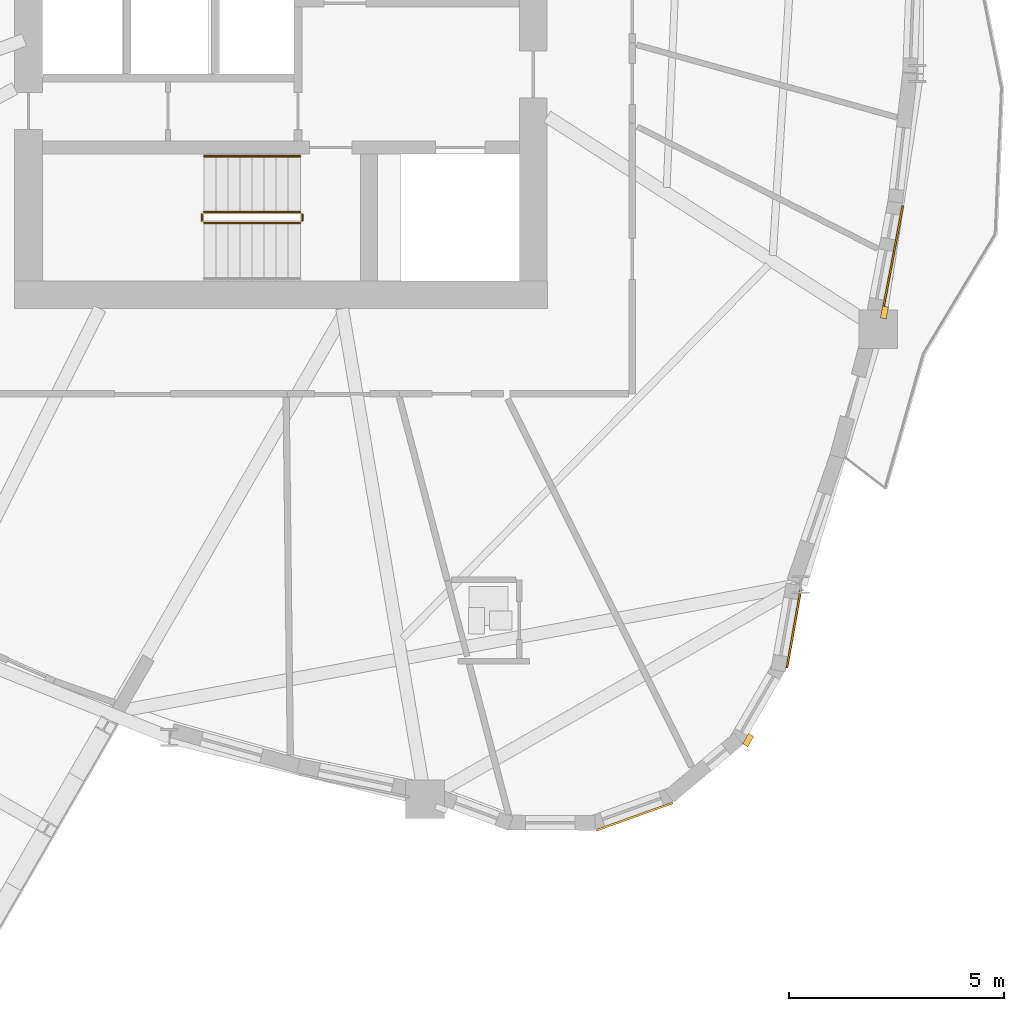
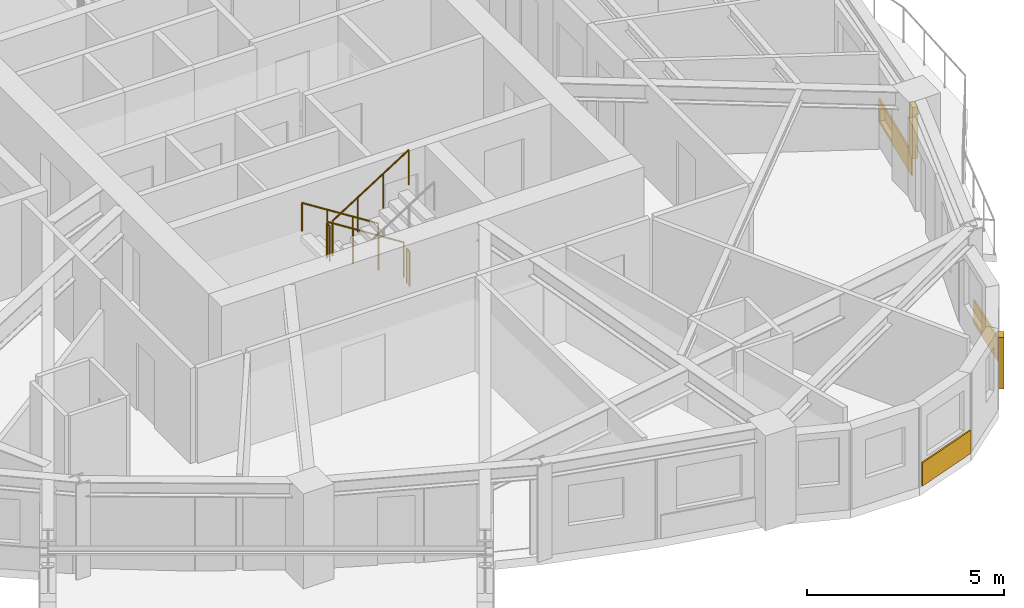
# One storey, part 13 of 17: 5 railings, 3 coverings, 2 shading devices.
"""IFC4 building model written with IfcOpenShell, lengths in metres."""

from ifc_helpers import new_model, si_unit, direction, frame, origin, origin_2d, place, context, subcontext, project, spatial, rectangle, circle, extrude, source, transform, mapped, material, layer, layer_set, type_object, element, save


model = new_model("IFC4")

# Units and contexts
model_context = context("Model", 3, precision=1e-05, world=origin(), true_north=direction((0.0, 1.0)))
body_context = subcontext(model_context, "Body", "Model", "MODEL_VIEW")
ifc_project = project(units=[si_unit("LENGTHUNIT", "METRE"), si_unit("AREAUNIT", "SQUARE_METRE"), si_unit("VOLUMEUNIT", "CUBIC_METRE"), si_unit("PLANEANGLEUNIT", "RADIAN"), si_unit("MASSUNIT", "GRAM", prefix="KILO")], contexts=[model_context])

# Site, building, storey
site_placement = place(None, origin())
site = spatial("IfcSite", under=ifc_project, at=site_placement, CompositionType="ELEMENT")
building_placement = place(site_placement, origin())
building = spatial("IfcBuilding", under=site, at=building_placement, Name="Qafzar Sky-Pleat Residences", CompositionType="ELEMENT")
storey_placement = place(building_placement, frame((0.0, 0.0, 115.199951171875)))
storey = spatial("IfcBuildingStorey", under=building, at=storey_placement, Name="L34", CompositionType="ELEMENT", Elevation=115.199951171875)

# Shading devices
ifc_material_1 = material(Name="Honed Riyadh limestone solar fin", Category="masonry")
ifc_layer_1 = layer(ifc_material_1, 0.139892578125)
ifc_layer_set_1 = layer_set([ifc_layer_1], Name="Honed Riyadh limestone solar fin")
shading_device_type = type_object("IfcShadingDeviceType", Name="SHD-FIN-STONE", PredefinedType="SHUTTER", material=ifc_layer_set_1)
shared_shape_1 = source(origin(), body_context, "Body", "SweptSolid", [
    extrude(rectangle(XDim=0.139892578125, YDim=0.280029296875, at=origin_2d()), origin(), (0.0, 0.0, 1.0), 1.60009765625),
])
for number, where, z_axis, x_axis, name in (
    (1, (41.22900390625, 7.50732421875, 0.60009765625), (0.0, 0.0, 1.0), (0.864874104555, -0.501988827833, 0.0), "L34 Limestone Solar Fin 21"),
    (2, (44.398681640625, 17.462890625, 0.60009765625), (0.0, 0.0, 1.0), (0.982428629764, -0.186638654679, 0.0), "L34 Limestone Solar Fin 25"),
):
    element("IfcShadingDevice", number, at=place(storey_placement, frame(where, z_axis=z_axis, x_axis=x_axis)), inside=storey, type_object=shading_device_type, Name=name, PredefinedType="SHUTTER", context=body_context, shape_type="MappedRepresentation", body=[
        mapped(shared_shape_1, transform((0.0, 0.0, 0.0), x_axis=(1.0, 0.0, 0.0), y_axis=(0.0, 1.0, 0.0), z_axis=(0.0, 0.0, 1.0), scale=1.0)),
    ])

# Coverings
ifc_material_2 = material(Name="Honed Riyadh Tuwaiq limestone cladding", Category="masonry")
ifc_layer_2 = layer(ifc_material_2, 0.044921875)
ifc_layer_set_2 = layer_set([ifc_layer_2], Name="Honed Riyadh Tuwaiq limestone cladding")
covering_type = type_object("IfcCoveringType", Name="COV-CLAD-STONE", PredefinedType="CLADDING", material=ifc_layer_set_2)
shared_shape_2 = source(origin(), body_context, "Body", "SweptSolid", [
    extrude(rectangle(XDim=1.88916015625, YDim=0.044921875, at=origin_2d()), origin(), (0.0, 0.0, 1.0), 0.719970703125),
])
covering_1_placement = place(storey_placement, frame((38.58203125, 5.726806640625, 0.02001953125), z_axis=(0.0, 0.0, 1.0), x_axis=(0.941482948476, 0.337060614325, 0.0)))
element("IfcCovering", 3, at=covering_1_placement, inside=storey, type_object=covering_type, Name="L34 Riyadh Limestone Spandrel Cladding 19", PredefinedType="CLADDING", context=body_context, shape_type="MappedRepresentation", body=[
    mapped(shared_shape_2, transform((0.0, 0.0, 0.0), x_axis=(1.0, 0.0, 0.0), y_axis=(0.0, 1.0, 0.0), z_axis=(0.0, 0.0, 1.0), scale=1.0)),
])
shared_shape_3 = source(origin(), body_context, "Body", "SweptSolid", [
    extrude(rectangle(XDim=1.8369140625, YDim=0.044921875, at=origin_2d()), origin(), (0.0, 0.0, 1.0), 0.719970703125),
])
covering_2_placement = place(storey_placement, frame((42.290283203125, 10.09619140625, 0.02001953125), z_axis=(0.0, 0.0, 1.0), x_axis=(0.174369449256, 0.984680300994, 0.0)))
element("IfcCovering", 4, at=covering_2_placement, inside=storey, type_object=covering_type, Name="L34 Riyadh Limestone Spandrel Cladding 22", PredefinedType="CLADDING", context=body_context, shape_type="MappedRepresentation", body=[
    mapped(shared_shape_3, transform((0.0, 0.0, 0.0), x_axis=(1.0, 0.0, 0.0), y_axis=(0.0, 1.0, 0.0), z_axis=(0.0, 0.0, 1.0), scale=1.0)),
])
shared_shape_4 = source(origin(), body_context, "Body", "SweptSolid", [
    extrude(rectangle(XDim=2.552734375, YDim=0.044921875, at=origin_2d()), origin(), (0.0, 0.0, 1.0), 0.719970703125),
])
covering_3_placement = place(storey_placement, frame((44.588134765625, 18.689697265625, 0.02001953125), z_axis=(0.0, 0.0, 1.0), x_axis=(0.186648735935, 0.982426714505, 0.0)))
element("IfcCovering", 5, at=covering_3_placement, inside=storey, type_object=covering_type, Name="L34 Riyadh Limestone Spandrel Cladding 25", PredefinedType="CLADDING", context=body_context, shape_type="MappedRepresentation", body=[
    mapped(shared_shape_4, transform((0.0, 0.0, 0.0), x_axis=(1.0, 0.0, 0.0), y_axis=(0.0, 1.0, 0.0), z_axis=(0.0, 0.0, 1.0), scale=1.0)),
])

# Railings
ifc_material_3 = material(Name="Painted Steel S355 stair guardrail", Category="steel")
railing_type_1 = type_object("IfcRailingType", Name="RAIL-STAIR-GUARD", PredefinedType="GUARDRAIL", material=ifc_material_3)
shared_shape_5 = source(origin(), body_context, "Body", "SweptSolid", [
    extrude(circle(Radius=0.02392578125, at=origin_2d()), frame((0.0, 0.0, 1.076171875), z_axis=(0.0, -1.0, 0.0), x_axis=(1.0, 0.0, 0.0)), (0.0, 0.0, 1.0), 0.14990234375),
    extrude(circle(Radius=0.02099609375, at=origin_2d()), origin(), (0.0, 0.0, 1.0), 1.052001953125),
    extrude(circle(Radius=0.02099609375, at=origin_2d()), frame((0.0, -0.14990234375, 0.0)), (0.0, 0.0, 1.0), 1.052001953125),
])
for number, where, name in (
    (6, (28.510009765625, 19.75, 1.60009765625), "L34 ST1 stair guard 2"),
    (7, (30.85009765625, 19.75, 0.0), "L34 ST1 stair guard 4"),
):
    element("IfcRailing", number, at=place(storey_placement, frame(where)), inside=storey, type_object=railing_type_1, Name=name, PredefinedType="GUARDRAIL", context=body_context, shape_type="MappedRepresentation", body=[
        mapped(shared_shape_5, transform((0.0, 0.0, 0.0), x_axis=(1.0, 0.0, 0.0), y_axis=(0.0, 1.0, 0.0), z_axis=(0.0, 0.0, 1.0), scale=1.0)),
    ])
shared_shape_6 = source(origin(), body_context, "Body", "SweptSolid", [
    extrude(circle(Radius=0.02392578125, at=origin_2d()), frame((0.0, 0.0, 1.076171875), z_axis=(0.8442293374, 0.0, 0.53598211339), x_axis=(0.0, 1.0, 0.0)), (0.0, 0.0, 1.0), 2.6533203125),
    extrude(circle(Radius=0.02099609375, at=origin_2d()), origin(), (0.0, 0.0, 1.0), 1.052001953125),
    extrude(circle(Radius=0.02099609375, at=origin_2d()), frame((0.74658203125, 0.0, 0.47412109375)), (0.0, 0.0, 1.0), 1.052001953125),
    extrude(circle(Radius=0.02099609375, at=origin_2d()), frame((1.493408203125, 0.0, 0.947998046875)), (0.0, 0.0, 1.0), 1.052001953125),
    extrude(circle(Radius=0.02099609375, at=origin_2d()), frame((2.239990234375, 0.0, 1.422119140625)), (0.0, 0.0, 1.0), 1.052001953125),
])
railing_1_placement = place(storey_placement, frame((28.56005859375, 19.550048828125, 1.77783203125)))
element("IfcRailing", 8, at=railing_1_placement, inside=storey, type_object=railing_type_1, Name="L34 ST1 stair guard 3", PredefinedType="GUARDRAIL", context=body_context, shape_type="MappedRepresentation", body=[
    mapped(shared_shape_6, transform((0.0, 0.0, 0.0), x_axis=(1.0, 0.0, 0.0), y_axis=(0.0, 1.0, 0.0), z_axis=(0.0, 0.0, 1.0), scale=1.0)),
])
shared_shape_7 = source(origin(), body_context, "Body", "SweptSolid", [
    extrude(circle(Radius=0.02392578125, at=origin_2d()), frame((0.0, 0.0, 1.076171875), z_axis=(-0.84418770128, 0.0, 0.536047689118), x_axis=(0.0, -1.0, 0.0)), (0.0, 0.0, 1.0), 2.6533203125),
    extrude(circle(Radius=0.02099609375, at=origin_2d()), origin(), (0.0, 0.0, 1.0), 1.052001953125),
    extrude(circle(Radius=0.02099609375, at=origin_2d()), frame((-0.74658203125, 0.0, 0.47412109375)), (0.0, 0.0, 1.0), 1.052001953125),
    extrude(circle(Radius=0.02099609375, at=origin_2d()), frame((-1.493408203125, 0.0, 0.9482421875)), (0.0, 0.0, 1.0), 1.052001953125),
    extrude(circle(Radius=0.02099609375, at=origin_2d()), frame((-2.239990234375, 0.0, 1.42236328125)), (0.0, 0.0, 1.0), 1.052001953125),
])
railing_2_placement = place(storey_placement, frame((30.800048828125, 19.800048828125, 0.177734375)))
element("IfcRailing", 9, at=railing_2_placement, inside=storey, type_object=railing_type_1, Name="L34 ST1 stair guard 1", PredefinedType="GUARDRAIL", context=body_context, shape_type="MappedRepresentation", body=[
    mapped(shared_shape_7, transform((0.0, 0.0, 0.0), x_axis=(1.0, 0.0, 0.0), y_axis=(0.0, 1.0, 0.0), z_axis=(0.0, 0.0, 1.0), scale=1.0)),
])
ifc_material_4 = material(Name="Brushed stainless steel handrail", Category="steel")
railing_type_2 = type_object("IfcRailingType", Name="RAIL-STAIR-HAND", PredefinedType="HANDRAIL", material=ifc_material_4)
shared_shape_8 = source(origin(), body_context, "Body", "SweptSolid", [
    extrude(circle(Radius=0.02392578125, at=origin_2d()), frame((0.0, 0.0, 0.8759765625), z_axis=(-0.84418770128, 0.0, 0.536047689118), x_axis=(0.0, -1.0, 0.0)), (0.0, 0.0, 1.0), 2.6533203125),
    extrude(circle(Radius=0.02099609375, at=origin_2d()), origin(), (0.0, 0.0, 1.0), 0.851806640625),
    extrude(circle(Radius=0.02099609375, at=origin_2d()), frame((-0.74658203125, 0.0, 0.47412109375)), (0.0, 0.0, 1.0), 0.851806640625),
    extrude(circle(Radius=0.02099609375, at=origin_2d()), frame((-1.493408203125, 0.0, 0.9482421875)), (0.0, 0.0, 1.0), 0.851806640625),
    extrude(circle(Radius=0.02099609375, at=origin_2d()), frame((-2.239990234375, 0.0, 1.42236328125)), (0.0, 0.0, 1.0), 0.851806640625),
])
railing_3_placement = place(storey_placement, frame((30.800048828125, 21.10009765625, 0.177734375)))
element("IfcRailing", 10, at=railing_3_placement, inside=storey, type_object=railing_type_2, Name="L34 ST1 stair handrail 1", PredefinedType="HANDRAIL", context=body_context, shape_type="MappedRepresentation", body=[
    mapped(shared_shape_8, transform((0.0, 0.0, 0.0), x_axis=(1.0, 0.0, 0.0), y_axis=(0.0, 1.0, 0.0), z_axis=(0.0, 0.0, 1.0), scale=1.0)),
])

save(model, "model.ifc")
